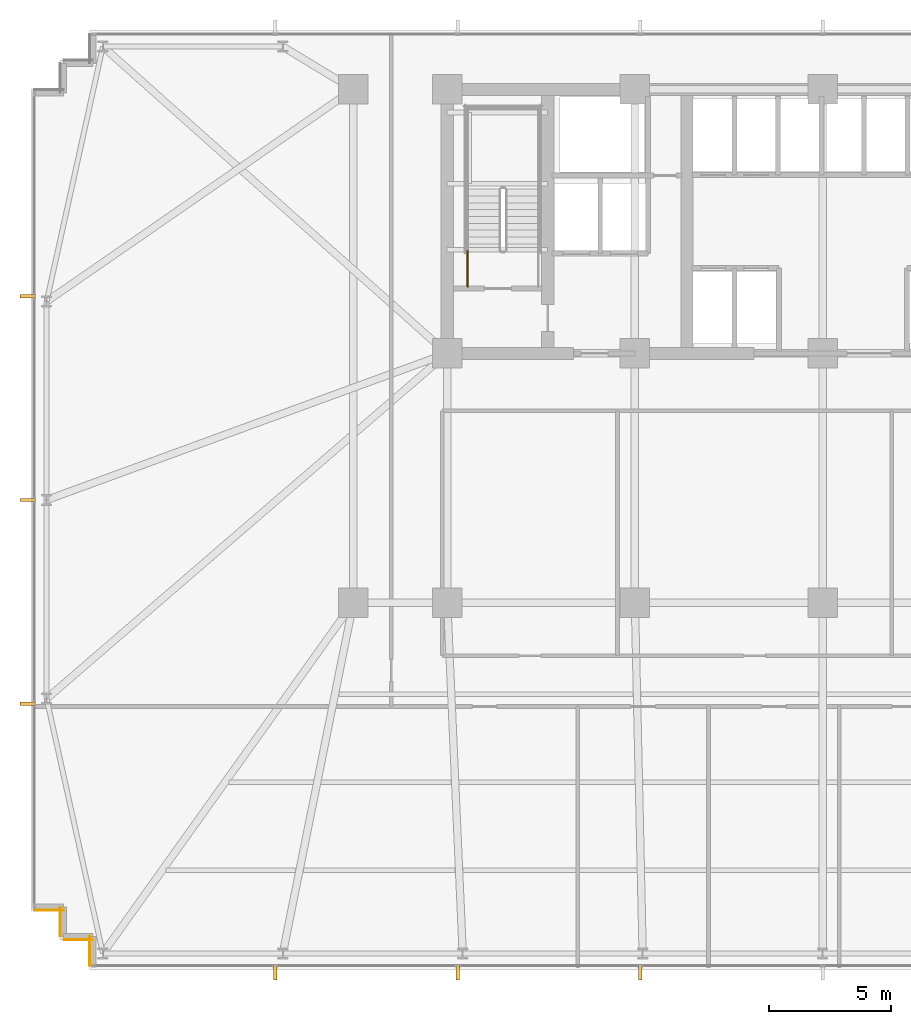
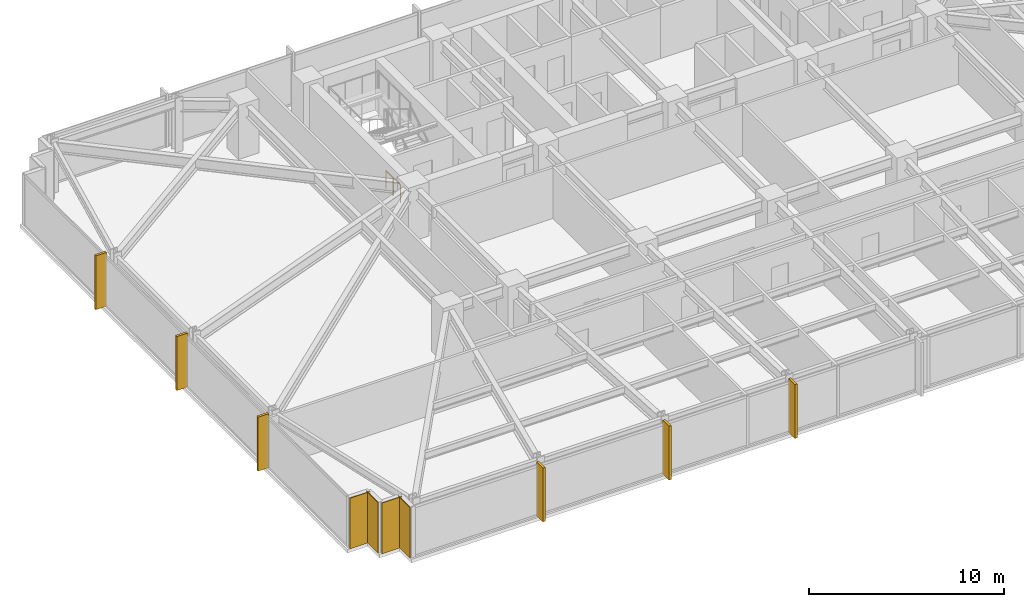
# One storey, part 27 of 32: 6 shading devices, 4 coverings, 1 railing.
"""IFC4 building model written with IfcOpenShell, lengths in metres."""

import ifcopenshell
import ifcopenshell.guid

model = None  # the IFC model being written
_history = None  # IfcOwnerHistory: only IFC2X3 demands one
_inside = {}  # id of a spatial element -> (the spatial element, [elements in it])
_under = {}  # id of a project, library or spatial element -> (it, [spatial elements below it])
_declared = {}  # id of a project -> (the project, [libraries it declares])
_typed = {}  # id of a type object -> (the type object, [elements of that type])
_made_of = {}  # id of a material, layer set ... -> (it, [elements and type objects made of it])


def new_model(schema):
    """Start an empty IFC model of exactly this schema.

    Asked for "IFC4X3", IfcOpenShell would pick the latest addendum, in which some entities
    have other attributes; the version numbers below select the first issue.
    IFC2X3 requires an IfcOwnerHistory on every rooted entity: one is made here for all.
    """
    global model, _history
    if schema == "IFC4X3":
        model = ifcopenshell.file(schema_version=(4, 3, 0, 0))
    else:
        model = ifcopenshell.file(schema=schema)
    _inside.clear()
    _under.clear()
    _declared.clear()
    _typed.clear()
    _made_of.clear()
    _history = None
    if model.schema == "IFC2X3":
        org = make("IfcOrganization", Name="unknown")
        user = make(
            "IfcPersonAndOrganization",
            ThePerson=make("IfcPerson", FamilyName="unknown"),
            TheOrganization=org,
        )
        app = make(
            "IfcApplication",
            ApplicationDeveloper=org,
            Version="unknown",
            ApplicationFullName="unknown",
            ApplicationIdentifier="unknown",
        )
        _history = make(
            "IfcOwnerHistory",
            OwningUser=user,
            OwningApplication=app,
            ChangeAction="ADDED",
            CreationDate=0,
        )
    return model


def make(cls, **values):
    """One entity of the class cls with the attributes given. An attribute that is None is left unset."""
    return model.create_entity(
        cls, **{name: value for name, value in values.items() if value is not None}
    )


def rooted(cls, **values):
    """An entity with a GlobalId (a new one), such as an element, a storey or a relation."""
    return make(cls, GlobalId=ifcopenshell.guid.new(), OwnerHistory=_history, **values)


def si_unit(unit_type, name, prefix=None):
    """IfcSIUnit, for example si_unit("LENGTHUNIT", "METRE", prefix="MILLI")."""
    return make("IfcSIUnit", UnitType=unit_type, Prefix=prefix, Name=name)


def assignment(units):
    """IfcUnitAssignment: the units of a project."""
    return None if units is None else make("IfcUnitAssignment", Units=units)


def point(xyz):
    """IfcCartesianPoint."""
    return None if xyz is None else make("IfcCartesianPoint", Coordinates=xyz)


def direction(xyz):
    """IfcDirection."""
    return None if xyz is None else make("IfcDirection", DirectionRatios=xyz)


def frame(location, z_axis=None, x_axis=None):
    """IfcAxis2Placement3D, a coordinate frame: its origin and axes. An axis left out is left unset."""
    return make(
        "IfcAxis2Placement3D",
        Location=point(location),
        Axis=direction(z_axis),
        RefDirection=direction(x_axis),
    )


def frame_2d(location, x_axis=None):
    """IfcAxis2Placement2D, a coordinate frame in the plane: its origin and x axis."""
    return make(
        "IfcAxis2Placement2D", Location=point(location), RefDirection=direction(x_axis)
    )


def origin():
    """The frame at (0, 0, 0) with its axes left unset."""
    return frame((0.0, 0.0, 0.0))


def origin_2d():
    """The frame at (0, 0) in the plane with its x axis left unset."""
    return frame_2d((0.0, 0.0))


def place(relative_to, where):
    """IfcLocalPlacement: puts the frame where relative to a parent placement (None: the world)."""
    return make(
        "IfcLocalPlacement", PlacementRelTo=relative_to, RelativePlacement=where
    )


def context(
    kind, dimensions, precision=None, world=None, true_north=None, identifier=None
):
    """IfcGeometricRepresentationContext, for example the 3D "Model" context."""
    return make(
        "IfcGeometricRepresentationContext",
        ContextIdentifier=identifier,
        ContextType=kind,
        CoordinateSpaceDimension=dimensions,
        Precision=precision,
        WorldCoordinateSystem=world,
        TrueNorth=true_north,
    )


def subcontext(parent, identifier, kind, view, scale=None):
    """IfcGeometricRepresentationSubContext, for example "Body" below "Model"."""
    return make(
        "IfcGeometricRepresentationSubContext",
        ContextIdentifier=identifier,
        ContextType=kind,
        ParentContext=parent,
        TargetScale=scale,
        TargetView=view,
    )


def project(units=None, contexts=None):
    """IfcProject with its units and contexts."""
    return rooted(
        "IfcProject",
        Name="project",
        RepresentationContexts=contexts,
        UnitsInContext=assignment(units),
    )


def spatial(cls, under=None, at=None, **own):
    """A site, building, storey or space (cls), placed at a placement, below another one or the project."""
    s = rooted(cls, ObjectPlacement=at, **own)
    if under is not None:
        _under.setdefault(under.id(), (under, []))[1].append(s)
    return s


def profile(cls, at=None, kind="AREA", **sizes):
    """A parametric profile (cls). Its sizes go by their IFC names, for example OverallWidth=200.0."""
    return make(cls, ProfileType=kind, Position=at, **sizes)


def rectangle(**sizes):
    """IfcRectangleProfileDef."""
    return profile("IfcRectangleProfileDef", **sizes)


def circle(**sizes):
    """IfcCircleProfileDef."""
    return profile("IfcCircleProfileDef", **sizes)


def extrude(swept, where, along, depth):
    """IfcExtrudedAreaSolid: the profile swept, set in the frame where, extruded along a direction by depth."""
    return make(
        "IfcExtrudedAreaSolid",
        SweptArea=swept,
        Position=where,
        ExtrudedDirection=direction(along),
        Depth=depth,
    )


def shape(context_of_items, identifier, shape_type, items):
    """IfcShapeRepresentation: the items that make up one representation, for example the "Body"."""
    return make(
        "IfcShapeRepresentation",
        ContextOfItems=context_of_items,
        RepresentationIdentifier=identifier,
        RepresentationType=shape_type,
        Items=items,
    )


def material(Name=None, Category=None):
    """IfcMaterial."""
    return make("IfcMaterial", Name=Name, Category=Category)


def layer(
    of_material, thickness, ventilated=None, Name=None, Category=None, Priority=None
):
    """IfcMaterialLayer: one layer of a wall or slab, of a material (None: an air gap)."""
    return make(
        "IfcMaterialLayer",
        Material=of_material,
        LayerThickness=thickness,
        IsVentilated=ventilated,
        Name=Name,
        Category=Category,
        Priority=Priority,
    )


def layer_set(layers, Name=None):
    """IfcMaterialLayerSet."""
    return make("IfcMaterialLayerSet", MaterialLayers=layers, LayerSetName=Name)


def made_of(thing, what):
    """Note that an element or type object is made of a material, layer set ...; save() writes the relation."""
    if what is not None:
        _made_of.setdefault(what.id(), (what, []))[1].append(thing)
    return thing


def type_object(cls, material=None, **own):
    """A type object (cls), such as IfcWallType, which elements share."""
    return made_of(rooted(cls, **own), material)


def element(
    cls,
    number,
    at=None,
    inside=None,
    cuts=None,
    type_object=None,
    material=None,
    context=None,
    identifier="Body",
    shape_type=None,
    held_by="IfcProductDefinitionShape",
    body=None,
    shapes=None,
    **own,
):
    """One element of the class cls, such as IfcWall. Its Tag is "e" and its number.

    at: its placement. inside: the storey or other place that contains it. cuts: it is an
    opening in that element (IfcRelVoidsElement). A single representation is given by context,
    identifier, shape_type and body (its items); several are given by shapes. held_by: the class
    of the entity that holds the representations. save() writes the other relations.
    """
    e = rooted(cls, Tag="e%d" % number, ObjectPlacement=at, **own)
    if body is not None:
        shapes = [shape(context, identifier, shape_type, body)]
    if shapes is not None:
        e.Representation = make(held_by, Representations=shapes)
    if inside is not None:
        _inside.setdefault(inside.id(), (inside, []))[1].append(e)
    if cuts is not None:
        rooted(
            "IfcRelVoidsElement", RelatingBuildingElement=cuts, RelatedOpeningElement=e
        )
    if type_object is not None:
        _typed.setdefault(type_object.id(), (type_object, []))[1].append(e)
    return made_of(e, material)


def aggregate(whole, parts):
    """IfcRelAggregates: a whole, such as a stair, and the parts it consists of."""
    return rooted("IfcRelAggregates", RelatingObject=whole, RelatedObjects=parts)


def save(model, path):
    """Write the relations noted so far, then the file.

    IfcRelAggregates (storeys below a building ...), IfcRelContainedInSpatialStructure (elements
    in a storey), IfcRelDefinesByType, IfcRelAssociatesMaterial and IfcRelDeclares: one each for
    every whole, place, type object, material and project.
    """
    for whole, parts in _under.values():
        aggregate(whole, parts)
    for where, things in _inside.values():
        rooted(
            "IfcRelContainedInSpatialStructure",
            RelatedElements=things,
            RelatingStructure=where,
        )
    for kind, things in _typed.values():
        rooted("IfcRelDefinesByType", RelatedObjects=things, RelatingType=kind)
    for what, things in _made_of.values():
        rooted("IfcRelAssociatesMaterial", RelatedObjects=things, RelatingMaterial=what)
    for by, libraries in _declared.values():
        rooted("IfcRelDeclares", RelatingContext=by, RelatedDefinitions=libraries)
    model.write(path)


model = new_model("IFC4")

# Units and contexts
model_context = context("Model", 3, precision=1e-05, world=origin(), true_north=direction((0.0, 1.0)))
body_context = subcontext(model_context, "Body", "Model", "MODEL_VIEW")
ifc_project = project(units=[si_unit("LENGTHUNIT", "METRE"), si_unit("AREAUNIT", "SQUARE_METRE"), si_unit("VOLUMEUNIT", "CUBIC_METRE"), si_unit("PLANEANGLEUNIT", "RADIAN"), si_unit("MASSUNIT", "GRAM", prefix="KILO")], contexts=[model_context])

# Site, building, storey
site_placement = place(None, origin())
site = spatial("IfcSite", under=ifc_project, at=site_placement, CompositionType="ELEMENT")
building_placement = place(site_placement, origin())
building = spatial("IfcBuilding", under=site, at=building_placement, Name="Yelkora Congress Tower", CompositionType="ELEMENT")
storey_placement = place(building_placement, frame((0.0, 0.0, 40.60009765625)))
storey = spatial("IfcBuildingStorey", under=building, at=storey_placement, Name="L09", CompositionType="ELEMENT", Elevation=40.60009765625)

# Coverings
ifc_material_1 = material(Name="Anatolian bush-hammered limestone", Category="masonry")
ifc_layer_1 = layer(ifc_material_1, 0.0400390625)
ifc_layer_set_1 = layer_set([ifc_layer_1], Name="Anatolian bush-hammered limestone")
covering_type = type_object("IfcCoveringType", Name="COV-CLAD-SPANDREL-40", PredefinedType="CLADDING", material=ifc_layer_set_1)
for number, where, z_axis, x_axis, name in (
    (1, (8.405029296875, 10.340087890625, 0.0), (0.0, 0.0, 1.0), (0.0, 1.0, 0.0), "L09 Anatolian Limestone Cladding EW-L09-SR01"),
    (2, (8.5400390625, 11.405029296875, 0.0), (0.0, 0.0, 1.0), (-1.0, 0.0, 0.0), "L09 Anatolian Limestone Cladding EW-L09-SR02"),
    (3, (7.205078125, 11.5400390625, 0.0), (0.0, 0.0, 1.0), (0.0, 1.0, 0.0), "L09 Anatolian Limestone Cladding EW-L09-SR03"),
):
    element("IfcCovering", number, at=place(storey_placement, frame(where, z_axis=z_axis, x_axis=x_axis)), inside=storey, type_object=covering_type, Name=name, PredefinedType="CLADDING", context=body_context, shape_type="SweptSolid", body=[
        extrude(rectangle(XDim=1.199951171875, YDim=0.0400390625, at=frame_2d((0.60009765625, 0.0))), origin(), (0.0, 0.0, 1.0), 3.179931640625),
    ])
covering_placement = place(storey_placement, frame((7.340087890625, 12.60498046875, 0.0), z_axis=(0.0, 0.0, 1.0), x_axis=(-1.0, 0.0, 0.0)))
element("IfcCovering", 4, at=covering_placement, inside=storey, type_object=covering_type, Name="L09 Anatolian Limestone Cladding EW-L09-SR04", PredefinedType="CLADDING", context=body_context, shape_type="SweptSolid", body=[
    extrude(rectangle(XDim=1.2001953125, YDim=0.0400390625, at=frame_2d((0.60009765625, 0.0))), origin(), (0.0, 0.0, 1.0), 3.179931640625),
])

# Railing
ifc_material_2 = material(Name="Painted galvanised steel stair well guard with vertical infill", Category="steel")
ifc_layer_2 = layer(ifc_material_2, 0.06005859375)
ifc_layer_set_2 = layer_set([ifc_layer_2], Name="Painted galvanised steel stair well guard with vertical infill")
railing_type = type_object("IfcRailingType", Name="RAIL-STAIR-GUARD-1120", PredefinedType="GUARDRAIL", material=ifc_layer_set_2)
railing_placement = place(storey_placement, frame((23.8701171875, 38.1201171875, 0.0)))
element("IfcRailing", 5, at=railing_placement, inside=storey, type_object=railing_type, Name="ST-01 L09 Stair Well Guardrail 9", PredefinedType="GUARDRAIL", context=body_context, shape_type="SweptSolid", body=[
    extrude(circle(Radius=0.02392578125, at=origin_2d()), frame((0.0, 0.0, 1.09619140625), z_axis=(0.0, 1.0, 0.0), x_axis=(-1.0, 0.0, 0.0)), (0.0, 0.0, 1.0), 1.47998046875),
    extrude(circle(Radius=0.02099609375, at=origin_2d()), origin(), (0.0, 0.0, 1.0), 1.072021484375),
    extrude(circle(Radius=0.02099609375, at=origin_2d()), frame((0.0, 0.739990234375, 0.0)), (0.0, 0.0, 1.0), 1.072021484375),
    extrude(circle(Radius=0.02099609375, at=origin_2d()), frame((0.0, 1.47998046875, 0.0)), (0.0, 0.0, 1.0), 1.072021484375),
])

# Shading devices
ifc_material_3 = material(Name="Champagne anodised aluminium", Category="aluminium")
ifc_layer_3 = layer(ifc_material_3, 3.39990234375)
ifc_layer_set_3 = layer_set([ifc_layer_3], Name="Champagne anodised aluminium")
shading_device_type = type_object("IfcShadingDeviceType", Name="SHD-FIN-ALU-640", PredefinedType="USERDEFINED", material=ifc_layer_set_3)
for number, where, z_axis, x_axis, name in (
    (6, (5.8798828125, 21.070068359375, -0.030029296875), (0.0, 0.0, 1.0), (0.0, 1.0, 0.0), "L09 Vertical Anodised Solar Fin 5-1"),
    (7, (5.8798828125, 29.39990234375, -0.030029296875), (0.0, 0.0, 1.0), (0.0, 1.0, 0.0), "L09 Vertical Anodised Solar Fin 5-2"),
    (8, (5.8798828125, 37.72998046875, -0.030029296875), (0.0, 0.0, 1.0), (0.0, 1.0, 0.0), "L09 Vertical Anodised Solar Fin 5-3"),
    (9, (30.93505859375, 10.080078125, -0.030029296875), (0.0, 0.0, 1.0), (-1.0, 0.0, 0.0), "L09 Vertical Anodised Solar Fin 20-5"),
    (10, (23.469970703125, 10.080078125, -0.030029296875), (0.0, 0.0, 1.0), (-1.0, 0.0, 0.0), "L09 Vertical Anodised Solar Fin 20-6"),
    (11, (16.0048828125, 10.080078125, -0.030029296875), (0.0, 0.0, 1.0), (-1.0, 0.0, 0.0), "L09 Vertical Anodised Solar Fin 20-7"),
):
    element("IfcShadingDevice", number, at=place(storey_placement, frame(where, z_axis=z_axis, x_axis=x_axis)), inside=storey, type_object=shading_device_type, Name=name, ObjectType="FIN", PredefinedType="USERDEFINED", context=body_context, shape_type="SweptSolid", body=[
        extrude(rectangle(XDim=0.139892578125, YDim=0.639892578125, at=origin_2d()), origin(), (0.0, 0.0, 1.0), 3.3798828125),
    ])

save(model, "model.ifc")
